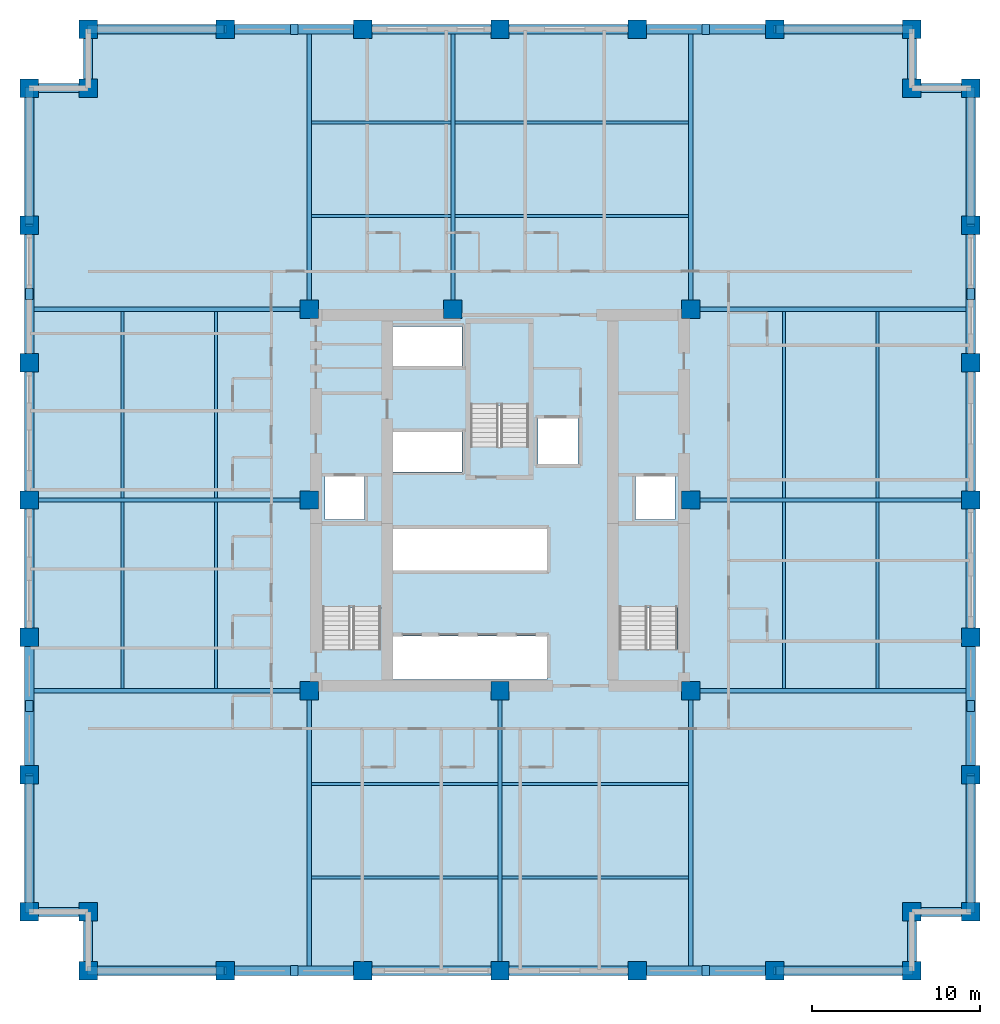
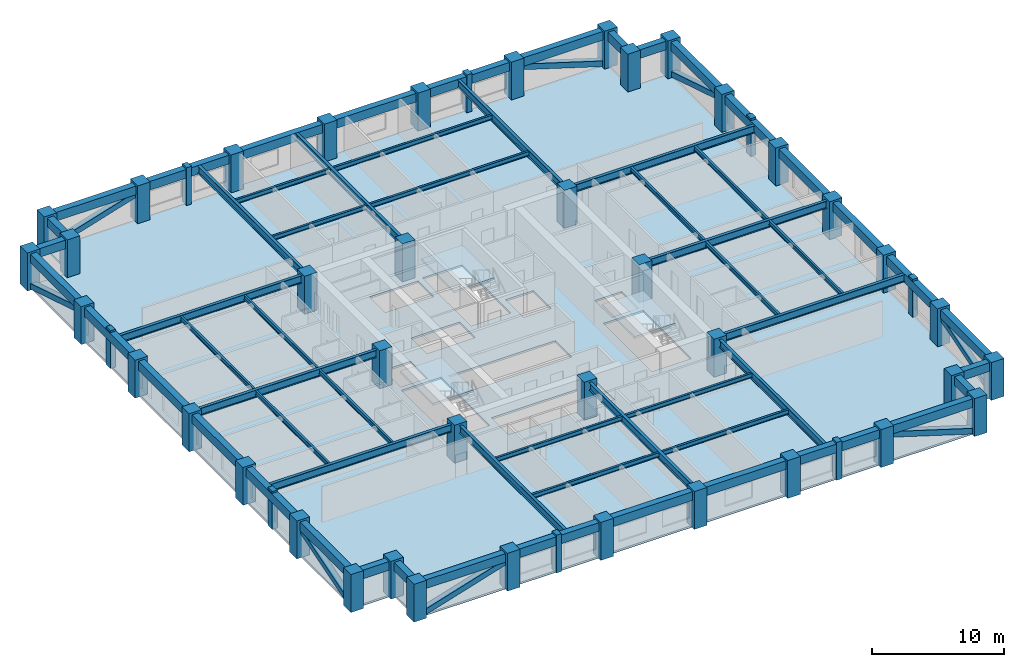
# One storey, part 1 of 8: 60 beams, 40 columns, 16 members, 4 slabs, 3 elements without a shape of their own.
"""IFC4 building model written with IfcOpenShell, lengths in metres."""

import ifcopenshell
import ifcopenshell.guid

model = None  # the IFC model being written
_history = None  # IfcOwnerHistory: only IFC2X3 demands one
_inside = {}  # id of a spatial element -> (the spatial element, [elements in it])
_under = {}  # id of a project, library or spatial element -> (it, [spatial elements below it])
_declared = {}  # id of a project -> (the project, [libraries it declares])
_typed = {}  # id of a type object -> (the type object, [elements of that type])
_made_of = {}  # id of a material, layer set ... -> (it, [elements and type objects made of it])


def new_model(schema):
    """Start an empty IFC model of exactly this schema.

    Asked for "IFC4X3", IfcOpenShell would pick the latest addendum, in which some entities
    have other attributes; the version numbers below select the first issue.
    IFC2X3 requires an IfcOwnerHistory on every rooted entity: one is made here for all.
    """
    global model, _history
    if schema == "IFC4X3":
        model = ifcopenshell.file(schema_version=(4, 3, 0, 0))
    else:
        model = ifcopenshell.file(schema=schema)
    _inside.clear()
    _under.clear()
    _declared.clear()
    _typed.clear()
    _made_of.clear()
    _history = None
    if model.schema == "IFC2X3":
        org = make("IfcOrganization", Name="unknown")
        user = make(
            "IfcPersonAndOrganization",
            ThePerson=make("IfcPerson", FamilyName="unknown"),
            TheOrganization=org,
        )
        app = make(
            "IfcApplication",
            ApplicationDeveloper=org,
            Version="unknown",
            ApplicationFullName="unknown",
            ApplicationIdentifier="unknown",
        )
        _history = make(
            "IfcOwnerHistory",
            OwningUser=user,
            OwningApplication=app,
            ChangeAction="ADDED",
            CreationDate=0,
        )
    return model


def make(cls, **values):
    """One entity of the class cls with the attributes given. An attribute that is None is left unset."""
    return model.create_entity(
        cls, **{name: value for name, value in values.items() if value is not None}
    )


def rooted(cls, **values):
    """An entity with a GlobalId (a new one), such as an element, a storey or a relation."""
    return make(cls, GlobalId=ifcopenshell.guid.new(), OwnerHistory=_history, **values)


def si_unit(unit_type, name, prefix=None):
    """IfcSIUnit, for example si_unit("LENGTHUNIT", "METRE", prefix="MILLI")."""
    return make("IfcSIUnit", UnitType=unit_type, Prefix=prefix, Name=name)


def assignment(units):
    """IfcUnitAssignment: the units of a project."""
    return None if units is None else make("IfcUnitAssignment", Units=units)


def point(xyz):
    """IfcCartesianPoint."""
    return None if xyz is None else make("IfcCartesianPoint", Coordinates=xyz)


def direction(xyz):
    """IfcDirection."""
    return None if xyz is None else make("IfcDirection", DirectionRatios=xyz)


def frame(location, z_axis=None, x_axis=None):
    """IfcAxis2Placement3D, a coordinate frame: its origin and axes. An axis left out is left unset."""
    return make(
        "IfcAxis2Placement3D",
        Location=point(location),
        Axis=direction(z_axis),
        RefDirection=direction(x_axis),
    )


def frame_2d(location, x_axis=None):
    """IfcAxis2Placement2D, a coordinate frame in the plane: its origin and x axis."""
    return make(
        "IfcAxis2Placement2D", Location=point(location), RefDirection=direction(x_axis)
    )


def origin():
    """The frame at (0, 0, 0) with its axes left unset."""
    return frame((0.0, 0.0, 0.0))


def origin_2d():
    """The frame at (0, 0) in the plane with its x axis left unset."""
    return frame_2d((0.0, 0.0))


def place(relative_to, where):
    """IfcLocalPlacement: puts the frame where relative to a parent placement (None: the world)."""
    return make(
        "IfcLocalPlacement", PlacementRelTo=relative_to, RelativePlacement=where
    )


def context(
    kind, dimensions, precision=None, world=None, true_north=None, identifier=None
):
    """IfcGeometricRepresentationContext, for example the 3D "Model" context."""
    return make(
        "IfcGeometricRepresentationContext",
        ContextIdentifier=identifier,
        ContextType=kind,
        CoordinateSpaceDimension=dimensions,
        Precision=precision,
        WorldCoordinateSystem=world,
        TrueNorth=true_north,
    )


def subcontext(parent, identifier, kind, view, scale=None):
    """IfcGeometricRepresentationSubContext, for example "Body" below "Model"."""
    return make(
        "IfcGeometricRepresentationSubContext",
        ContextIdentifier=identifier,
        ContextType=kind,
        ParentContext=parent,
        TargetScale=scale,
        TargetView=view,
    )


def project(units=None, contexts=None):
    """IfcProject with its units and contexts."""
    return rooted(
        "IfcProject",
        Name="project",
        RepresentationContexts=contexts,
        UnitsInContext=assignment(units),
    )


def spatial(cls, under=None, at=None, **own):
    """A site, building, storey or space (cls), placed at a placement, below another one or the project."""
    s = rooted(cls, ObjectPlacement=at, **own)
    if under is not None:
        _under.setdefault(under.id(), (under, []))[1].append(s)
    return s


def polyline(points):
    """IfcPolyline through the points."""
    return make("IfcPolyline", Points=[point(p) for p in points])


def profile(cls, at=None, kind="AREA", **sizes):
    """A parametric profile (cls). Its sizes go by their IFC names, for example OverallWidth=200.0."""
    return make(cls, ProfileType=kind, Position=at, **sizes)


def rectangle(**sizes):
    """IfcRectangleProfileDef."""
    return profile("IfcRectangleProfileDef", **sizes)


def hollow_rectangle(**sizes):
    """IfcRectangleHollowProfileDef."""
    return profile("IfcRectangleHollowProfileDef", **sizes)


def i_section(**sizes):
    """IfcIShapeProfileDef."""
    return profile("IfcIShapeProfileDef", **sizes)


def outline(outer, holes=None, kind="AREA"):
    """IfcArbitraryClosedProfileDef: a profile drawn as a closed curve; with holes, ...WithVoids."""
    if holes is None:
        return make("IfcArbitraryClosedProfileDef", ProfileType=kind, OuterCurve=outer)
    return make(
        "IfcArbitraryProfileDefWithVoids",
        ProfileType=kind,
        OuterCurve=outer,
        InnerCurves=holes,
    )


def extrude(swept, where, along, depth):
    """IfcExtrudedAreaSolid: the profile swept, set in the frame where, extruded along a direction by depth."""
    return make(
        "IfcExtrudedAreaSolid",
        SweptArea=swept,
        Position=where,
        ExtrudedDirection=direction(along),
        Depth=depth,
    )


def shape(context_of_items, identifier, shape_type, items):
    """IfcShapeRepresentation: the items that make up one representation, for example the "Body"."""
    return make(
        "IfcShapeRepresentation",
        ContextOfItems=context_of_items,
        RepresentationIdentifier=identifier,
        RepresentationType=shape_type,
        Items=items,
    )


def material(Name=None, Category=None):
    """IfcMaterial."""
    return make("IfcMaterial", Name=Name, Category=Category)


def layer(
    of_material, thickness, ventilated=None, Name=None, Category=None, Priority=None
):
    """IfcMaterialLayer: one layer of a wall or slab, of a material (None: an air gap)."""
    return make(
        "IfcMaterialLayer",
        Material=of_material,
        LayerThickness=thickness,
        IsVentilated=ventilated,
        Name=Name,
        Category=Category,
        Priority=Priority,
    )


def layer_set(layers, Name=None):
    """IfcMaterialLayerSet."""
    return make("IfcMaterialLayerSet", MaterialLayers=layers, LayerSetName=Name)


def material_profile(
    of_material, cross_section, Name=None, Category=None, Priority=None
):
    """IfcMaterialProfile: a cross section and its material."""
    return make(
        "IfcMaterialProfile",
        Name=Name,
        Material=of_material,
        Profile=cross_section,
        Priority=Priority,
        Category=Category,
    )


def profile_set(profiles, Name=None, composite=None):
    """IfcMaterialProfileSet."""
    return make(
        "IfcMaterialProfileSet",
        Name=Name,
        MaterialProfiles=profiles,
        CompositeProfile=composite,
    )


def made_of(thing, what):
    """Note that an element or type object is made of a material, layer set ...; save() writes the relation."""
    if what is not None:
        _made_of.setdefault(what.id(), (what, []))[1].append(thing)
    return thing


def type_object(cls, material=None, **own):
    """A type object (cls), such as IfcWallType, which elements share."""
    return made_of(rooted(cls, **own), material)


def element(
    cls,
    number,
    at=None,
    inside=None,
    cuts=None,
    type_object=None,
    material=None,
    context=None,
    identifier="Body",
    shape_type=None,
    held_by="IfcProductDefinitionShape",
    body=None,
    shapes=None,
    **own,
):
    """One element of the class cls, such as IfcWall. Its Tag is "e" and its number.

    at: its placement. inside: the storey or other place that contains it. cuts: it is an
    opening in that element (IfcRelVoidsElement). A single representation is given by context,
    identifier, shape_type and body (its items); several are given by shapes. held_by: the class
    of the entity that holds the representations. save() writes the other relations.
    """
    e = rooted(cls, Tag="e%d" % number, ObjectPlacement=at, **own)
    if body is not None:
        shapes = [shape(context, identifier, shape_type, body)]
    if shapes is not None:
        e.Representation = make(held_by, Representations=shapes)
    if inside is not None:
        _inside.setdefault(inside.id(), (inside, []))[1].append(e)
    if cuts is not None:
        rooted(
            "IfcRelVoidsElement", RelatingBuildingElement=cuts, RelatedOpeningElement=e
        )
    if type_object is not None:
        _typed.setdefault(type_object.id(), (type_object, []))[1].append(e)
    return made_of(e, material)


def aggregate(whole, parts):
    """IfcRelAggregates: a whole, such as a stair, and the parts it consists of."""
    return rooted("IfcRelAggregates", RelatingObject=whole, RelatedObjects=parts)


def save(model, path):
    """Write the relations noted so far, then the file.

    IfcRelAggregates (storeys below a building ...), IfcRelContainedInSpatialStructure (elements
    in a storey), IfcRelDefinesByType, IfcRelAssociatesMaterial and IfcRelDeclares: one each for
    every whole, place, type object, material and project.
    """
    for whole, parts in _under.values():
        aggregate(whole, parts)
    for where, things in _inside.values():
        rooted(
            "IfcRelContainedInSpatialStructure",
            RelatedElements=things,
            RelatingStructure=where,
        )
    for kind, things in _typed.values():
        rooted("IfcRelDefinesByType", RelatedObjects=things, RelatingType=kind)
    for what, things in _made_of.values():
        rooted("IfcRelAssociatesMaterial", RelatedObjects=things, RelatingMaterial=what)
    for by, libraries in _declared.values():
        rooted("IfcRelDeclares", RelatingContext=by, RelatedDefinitions=libraries)
    model.write(path)


model = new_model("IFC4")

# Units and contexts
model_context = context("Model", 3, precision=1e-05, world=origin(), true_north=direction((0.0, 1.0)))
body_context = subcontext(model_context, "Body", "Model", "MODEL_VIEW")
ifc_project = project(units=[si_unit("LENGTHUNIT", "METRE"), si_unit("AREAUNIT", "SQUARE_METRE"), si_unit("VOLUMEUNIT", "CUBIC_METRE"), si_unit("PLANEANGLEUNIT", "RADIAN"), si_unit("MASSUNIT", "GRAM", prefix="KILO")], contexts=[model_context])

# Site, building, storey
site_placement = place(None, origin())
site = spatial("IfcSite", under=ifc_project, at=site_placement, CompositionType="ELEMENT")
building_placement = place(site_placement, origin())
building = spatial("IfcBuilding", under=site, at=building_placement, Name="Nhamokura Convention Tower", CompositionType="ELEMENT")
storey_placement = place(building_placement, frame((0.0, 0.0, 45.85009765625)))
storey = spatial("IfcBuildingStorey", under=building, at=storey_placement, Name="L09", CompositionType="ELEMENT", Elevation=45.85009765625)

# Columns
ifc_material_1 = material(Name="Concrete C60/75", Category="concrete")
ifc_material_profile_1 = material_profile(ifc_material_1, rectangle(XDim=1.10009765625, YDim=1.10009765625, at=origin_2d()))
ifc_profile_set_1 = profile_set([ifc_material_profile_1], Name="Concrete C60/75")
column_type = type_object("IfcColumnType", Name="TubeColumn_Z1_1100", PredefinedType="COLUMN", material=ifc_profile_set_1)
for number, where, z_axis, x_axis, name in (
    (1, (20.64990234375, 20.64990234375, 0.0), (0.0, 0.0, 1.0), (1.0, 0.0, 0.0), "L09 Core Column CC-SW"),
    (2, (32.0, 20.64990234375, 0.0), (0.0, 0.0, 1.0), (1.0, 0.0, 0.0), "L09 Core Column CC-S"),
    (3, (43.35009765625, 20.64990234375, 0.0), (0.0, 0.0, 1.0), (1.0, 0.0, 0.0), "L09 Core Column CC-SE"),
    (4, (43.35009765625, 32.0, 0.0), (0.0, 0.0, 1.0), (1.0, 0.0, 0.0), "L09 Core Column CC-E"),
    (5, (43.35009765625, 43.35009765625, 0.0), (0.0, 0.0, 1.0), (1.0, 0.0, 0.0), "L09 Core Column CC-NE"),
    (6, (29.199951171875, 43.35009765625, 0.0), (0.0, 0.0, 1.0), (1.0, 0.0, 0.0), "L09 Core Column CC-N"),
    (7, (20.64990234375, 43.35009765625, 0.0), (0.0, 0.0, 1.0), (1.0, 0.0, 0.0), "L09 Core Column CC-NW"),
    (8, (20.64990234375, 32.0, 0.0), (0.0, 0.0, 1.0), (1.0, 0.0, 0.0), "L09 Core Column CC-W"),
    (9, (7.5, 4.0, 0.0), (0.0, 0.0, 1.0), (1.0, 0.0, 0.0), "L09 Perimeter Tube Column SW1"),
    (10, (7.5, 7.5, 0.0), (0.0, 0.0, 1.0), (1.0, 0.0, 0.0), "L09 Perimeter Tube Column SW0"),
    (11, (4.0, 7.5, 0.0), (0.0, 0.0, 1.0), (1.0, 0.0, 0.0), "L09 Perimeter Tube Column SW2"),
    (12, (56.5, 4.0, 0.0), (0.0, 0.0, 1.0), (1.0, 0.0, 0.0), "L09 Perimeter Tube Column SE1"),
    (13, (56.5, 7.5, 0.0), (0.0, 0.0, 1.0), (1.0, 0.0, 0.0), "L09 Perimeter Tube Column SE0"),
    (14, (60.0, 7.5, 0.0), (0.0, 0.0, 1.0), (1.0, 0.0, 0.0), "L09 Perimeter Tube Column SE2"),
    (15, (60.0, 56.5, 0.0), (0.0, 0.0, 1.0), (1.0, 0.0, 0.0), "L09 Perimeter Tube Column NE1"),
    (16, (56.5, 56.5, 0.0), (0.0, 0.0, 1.0), (1.0, 0.0, 0.0), "L09 Perimeter Tube Column NE0"),
    (17, (56.5, 60.0, 0.0), (0.0, 0.0, 1.0), (1.0, 0.0, 0.0), "L09 Perimeter Tube Column NE2"),
    (18, (7.5, 60.0, 0.0), (0.0, 0.0, 1.0), (1.0, 0.0, 0.0), "L09 Perimeter Tube Column NW1"),
    (19, (7.5, 56.5, 0.0), (0.0, 0.0, 1.0), (1.0, 0.0, 0.0), "L09 Perimeter Tube Column NW0"),
    (20, (4.0, 56.5, 0.0), (0.0, 0.0, 1.0), (1.0, 0.0, 0.0), "L09 Perimeter Tube Column NW2"),
    (21, (15.666748046875, 4.0, 0.0), (0.0, 0.0, 1.0), (1.0, 0.0, 0.0), "L09 Perimeter Tube Column S1"),
    (22, (15.666748046875, 60.0, 0.0), (0.0, 0.0, 1.0), (1.0, 0.0, 0.0), "L09 Perimeter Tube Column N1"),
    (23, (4.0, 15.666748046875, 0.0), (0.0, 0.0, 1.0), (1.0, 0.0, 0.0), "L09 Perimeter Tube Column W1"),
    (24, (60.0, 15.666748046875, 0.0), (0.0, 0.0, 1.0), (1.0, 0.0, 0.0), "L09 Perimeter Tube Column E1"),
    (25, (23.833251953125, 4.0, 0.0), (0.0, 0.0, 1.0), (1.0, 0.0, 0.0), "L09 Perimeter Tube Column S2"),
    (26, (23.833251953125, 60.0, 0.0), (0.0, 0.0, 1.0), (1.0, 0.0, 0.0), "L09 Perimeter Tube Column N2"),
    (27, (4.0, 23.833251953125, 0.0), (0.0, 0.0, 1.0), (1.0, 0.0, 0.0), "L09 Perimeter Tube Column W2"),
    (28, (60.0, 23.833251953125, 0.0), (0.0, 0.0, 1.0), (1.0, 0.0, 0.0), "L09 Perimeter Tube Column E2"),
    (29, (32.0, 4.0, 0.0), (0.0, 0.0, 1.0), (1.0, 0.0, 0.0), "L09 Perimeter Tube Column S3"),
    (30, (32.0, 60.0, 0.0), (0.0, 0.0, 1.0), (1.0, 0.0, 0.0), "L09 Perimeter Tube Column N3"),
    (31, (4.0, 32.0, 0.0), (0.0, 0.0, 1.0), (1.0, 0.0, 0.0), "L09 Perimeter Tube Column W3"),
    (32, (60.0, 32.0, 0.0), (0.0, 0.0, 1.0), (1.0, 0.0, 0.0), "L09 Perimeter Tube Column E3"),
    (33, (40.166748046875, 4.0, 0.0), (0.0, 0.0, 1.0), (1.0, 0.0, 0.0), "L09 Perimeter Tube Column S4"),
    (34, (40.166748046875, 60.0, 0.0), (0.0, 0.0, 1.0), (1.0, 0.0, 0.0), "L09 Perimeter Tube Column N4"),
    (35, (4.0, 40.166748046875, 0.0), (0.0, 0.0, 1.0), (1.0, 0.0, 0.0), "L09 Perimeter Tube Column W4"),
    (36, (60.0, 40.166748046875, 0.0), (0.0, 0.0, 1.0), (1.0, 0.0, 0.0), "L09 Perimeter Tube Column E4"),
    (37, (48.333251953125, 4.0, 0.0), (0.0, 0.0, 1.0), (1.0, 0.0, 0.0), "L09 Perimeter Tube Column S5"),
    (38, (48.333251953125, 60.0, 0.0), (0.0, 0.0, 1.0), (1.0, 0.0, 0.0), "L09 Perimeter Tube Column N5"),
    (39, (4.0, 48.333251953125, 0.0), (0.0, 0.0, 1.0), (1.0, 0.0, 0.0), "L09 Perimeter Tube Column W5"),
    (40, (60.0, 48.333251953125, 0.0), (0.0, 0.0, 1.0), (1.0, 0.0, 0.0), "L09 Perimeter Tube Column E5"),
):
    element("IfcColumn", number, at=place(storey_placement, frame(where, z_axis=z_axis, x_axis=x_axis)), inside=storey, type_object=column_type, Name=name, PredefinedType="COLUMN", context=body_context, shape_type="SweptSolid", body=[
        extrude(rectangle(XDim=1.10009765625, YDim=1.10009765625, at=origin_2d()), origin(), (0.0, 0.0, 1.0), 3.5),
    ])

# Members
ifc_material_2 = material(Name="Bronze-pigmented precast concrete C45/55", Category="concrete")
ifc_material_profile_2 = material_profile(ifc_material_2, rectangle(XDim=0.449951171875, YDim=0.64990234375, at=origin_2d()))
ifc_profile_set_2 = profile_set([ifc_material_profile_2], Name="Bronze-pigmented precast concrete C45/55")
member_type_1 = type_object("IfcMemberType", Name="BronzePilaster_650", PredefinedType="USERDEFINED", material=ifc_profile_set_2)
for number, where, z_axis, x_axis, name in (
    (41, (19.75, 4.0, 0.0), (0.0, 0.0, 1.0), (1.0, 0.0, 0.0), "L09 Engaged Frame Pilaster SOUTH 1"),
    (42, (44.25, 4.0, 0.0), (0.0, 0.0, 1.0), (1.0, 0.0, 0.0), "L09 Engaged Frame Pilaster SOUTH 4"),
    (43, (19.75, 60.0, 0.0), (0.0, 0.0, 1.0), (1.0, 0.0, 0.0), "L09 Engaged Frame Pilaster NORTH 1"),
    (44, (44.25, 60.0, 0.0), (0.0, 0.0, 1.0), (1.0, 0.0, 0.0), "L09 Engaged Frame Pilaster NORTH 4"),
    (45, (4.0, 19.75, 0.0), (0.0, 0.0, 1.0), (1.0, 0.0, 0.0), "L09 Engaged Frame Pilaster WEST 1"),
    (46, (4.0, 44.25, 0.0), (0.0, 0.0, 1.0), (1.0, 0.0, 0.0), "L09 Engaged Frame Pilaster WEST 4"),
    (47, (60.0, 19.75, 0.0), (0.0, 0.0, 1.0), (1.0, 0.0, 0.0), "L09 Engaged Frame Pilaster EAST 1"),
    (48, (60.0, 44.25, 0.0), (0.0, 0.0, 1.0), (1.0, 0.0, 0.0), "L09 Engaged Frame Pilaster EAST 4"),
):
    element("IfcMember", number, at=place(storey_placement, frame(where, z_axis=z_axis, x_axis=x_axis)), inside=storey, type_object=member_type_1, Name=name, ObjectType="PILASTER_TRIM", PredefinedType="USERDEFINED", context=body_context, shape_type="SweptSolid", body=[
        extrude(rectangle(XDim=0.449951171875, YDim=0.64990234375, at=origin_2d()), origin(), (0.0, 0.0, 1.0), 3.5),
    ])

# Beams
ifc_material_3 = material(Name="Steel ASTM A992 Gr 50", Category="steel")
ifc_material_profile_3 = material_profile(ifc_material_3, i_section(OverallWidth=0.178955078125, OverallDepth=0.409912109375, WebThickness=0.0087890625, FlangeThickness=0.014404296875, at=origin_2d()))
ifc_profile_set_3 = profile_set([ifc_material_profile_3], Name="Steel ASTM A992 Gr 50")
beam_type_1 = type_object("IfcBeamType", Name="FloorJoist_W410X67", PredefinedType="JOIST", material=ifc_profile_set_3)
for number, where, z_axis, x_axis, name in (
    (49, (20.77587890625, 9.550048828125, 3.114990234375), (1.0, 0.0, 0.0), (0.0, 1.0, 0.0), "L09 Composite Floor Joist S1A"),
    (50, (32.1259765625, 9.550048828125, 3.114990234375), (1.0, 0.0, 0.0), (0.0, 1.0, 0.0), "L09 Composite Floor Joist S1B"),
    (51, (20.77587890625, 15.10009765625, 3.114990234375), (1.0, 0.0, 0.0), (0.0, 1.0, 0.0), "L09 Composite Floor Joist S2A"),
    (52, (32.1259765625, 15.10009765625, 3.114990234375), (1.0, 0.0, 0.0), (0.0, 1.0, 0.0), "L09 Composite Floor Joist S2B"),
):
    element("IfcBeam", number, at=place(storey_placement, frame(where, z_axis=z_axis, x_axis=x_axis)), inside=storey, type_object=beam_type_1, Name=name, PredefinedType="JOIST", context=body_context, shape_type="SweptSolid", body=[
        extrude(i_section(OverallWidth=0.178955078125, OverallDepth=0.409912109375, WebThickness=0.0087890625, FlangeThickness=0.014404296875, at=origin_2d()), origin(), (0.0, 0.0, 1.0), 11.09814453125),
    ])
beam_1_placement = place(storey_placement, frame((20.77587890625, 48.89990234375, 3.114990234375), z_axis=(1.0, 0.0, 0.0), x_axis=(0.0, 1.0, 0.0)))
element("IfcBeam", 53, at=beam_1_placement, inside=storey, type_object=beam_type_1, Name="L09 Composite Floor Joist N1A", PredefinedType="JOIST", context=body_context, shape_type="SweptSolid", body=[
    extrude(i_section(OverallWidth=0.178955078125, OverallDepth=0.409912109375, WebThickness=0.0087890625, FlangeThickness=0.014404296875, at=origin_2d()), origin(), (0.0, 0.0, 1.0), 8.298095703125),
])
beam_2_placement = place(storey_placement, frame((29.325927734375, 48.89990234375, 3.114990234375), z_axis=(1.0, 0.0, 0.0), x_axis=(0.0, 1.0, 0.0)))
element("IfcBeam", 54, at=beam_2_placement, inside=storey, type_object=beam_type_1, Name="L09 Composite Floor Joist N1B", PredefinedType="JOIST", context=body_context, shape_type="SweptSolid", body=[
    extrude(i_section(OverallWidth=0.178955078125, OverallDepth=0.409912109375, WebThickness=0.0087890625, FlangeThickness=0.014404296875, at=origin_2d()), origin(), (0.0, 0.0, 1.0), 13.898193359375),
])
beam_3_placement = place(storey_placement, frame((20.77587890625, 54.449951171875, 3.114990234375), z_axis=(1.0, 0.0, 0.0), x_axis=(0.0, 1.0, 0.0)))
element("IfcBeam", 55, at=beam_3_placement, inside=storey, type_object=beam_type_1, Name="L09 Composite Floor Joist N2A", PredefinedType="JOIST", context=body_context, shape_type="SweptSolid", body=[
    extrude(i_section(OverallWidth=0.178955078125, OverallDepth=0.409912109375, WebThickness=0.0087890625, FlangeThickness=0.014404296875, at=origin_2d()), origin(), (0.0, 0.0, 1.0), 8.298095703125),
])
beam_4_placement = place(storey_placement, frame((29.325927734375, 54.449951171875, 3.114990234375), z_axis=(1.0, 0.0, 0.0), x_axis=(0.0, 1.0, 0.0)))
element("IfcBeam", 56, at=beam_4_placement, inside=storey, type_object=beam_type_1, Name="L09 Composite Floor Joist N2B", PredefinedType="JOIST", context=body_context, shape_type="SweptSolid", body=[
    extrude(i_section(OverallWidth=0.178955078125, OverallDepth=0.409912109375, WebThickness=0.0087890625, FlangeThickness=0.014404296875, at=origin_2d()), origin(), (0.0, 0.0, 1.0), 13.898193359375),
])
for number, where, z_axis, x_axis, name in (
    (57, (9.550048828125, 20.77587890625, 3.114990234375), (0.0, 1.0, 0.0), (-1.0, 0.0, 0.0), "L09 Composite Floor Joist W1A"),
    (58, (9.550048828125, 32.1259765625, 3.114990234375), (0.0, 1.0, 0.0), (-1.0, 0.0, 0.0), "L09 Composite Floor Joist W1B"),
    (59, (15.10009765625, 20.77587890625, 3.114990234375), (0.0, 1.0, 0.0), (-1.0, 0.0, 0.0), "L09 Composite Floor Joist W2A"),
    (60, (15.10009765625, 32.1259765625, 3.114990234375), (0.0, 1.0, 0.0), (-1.0, 0.0, 0.0), "L09 Composite Floor Joist W2B"),
    (61, (48.89990234375, 20.77587890625, 3.114990234375), (0.0, 1.0, 0.0), (-1.0, 0.0, 0.0), "L09 Composite Floor Joist E1A"),
    (62, (48.89990234375, 32.1259765625, 3.114990234375), (0.0, 1.0, 0.0), (-1.0, 0.0, 0.0), "L09 Composite Floor Joist E1B"),
    (63, (54.449951171875, 20.77587890625, 3.114990234375), (0.0, 1.0, 0.0), (-1.0, 0.0, 0.0), "L09 Composite Floor Joist E2A"),
    (64, (54.449951171875, 32.1259765625, 3.114990234375), (0.0, 1.0, 0.0), (-1.0, 0.0, 0.0), "L09 Composite Floor Joist E2B"),
):
    element("IfcBeam", number, at=place(storey_placement, frame(where, z_axis=z_axis, x_axis=x_axis)), inside=storey, type_object=beam_type_1, Name=name, PredefinedType="JOIST", context=body_context, shape_type="SweptSolid", body=[
        extrude(i_section(OverallWidth=0.178955078125, OverallDepth=0.409912109375, WebThickness=0.0087890625, FlangeThickness=0.014404296875, at=origin_2d()), origin(), (0.0, 0.0, 1.0), 11.09814453125),
    ])
ifc_material_4 = material(Name="Steel ASTM A992 Gr 50", Category="steel")
ifc_material_profile_4 = material_profile(ifc_material_4, i_section(OverallWidth=0.256103515625, OverallDepth=0.693115234375, WebThickness=0.014404296875, FlangeThickness=0.023681640625, at=origin_2d()))
ifc_profile_set_4 = profile_set([ifc_material_profile_4], Name="Steel ASTM A992 Gr 50")
beam_type_2 = type_object("IfcBeamType", Name="PrimaryGirder_W690X170", PredefinedType="BEAM", material=ifc_profile_set_4)
for number, where, z_axis, x_axis, name in (
    (65, (20.64990234375, 4.0, 2.973388671875), (0.0, 1.0, 0.0), (-1.0, 0.0, 0.0), "L09 Primary Floor Girder PG-S1"),
    (66, (32.0, 4.0, 2.973388671875), (0.0, 1.0, 0.0), (-1.0, 0.0, 0.0), "L09 Primary Floor Girder PG-S2"),
    (67, (43.35009765625, 4.0, 2.973388671875), (0.0, 1.0, 0.0), (-1.0, 0.0, 0.0), "L09 Primary Floor Girder PG-S3"),
    (68, (20.64990234375, 43.35009765625, 2.973388671875), (0.0, 1.0, 0.0), (-1.0, 0.0, 0.0), "L09 Primary Floor Girder PG-N1"),
    (69, (29.199951171875, 43.35009765625, 2.973388671875), (0.0, 1.0, 0.0), (-1.0, 0.0, 0.0), "L09 Primary Floor Girder PG-N2"),
    (70, (43.35009765625, 43.35009765625, 2.973388671875), (0.0, 1.0, 0.0), (-1.0, 0.0, 0.0), "L09 Primary Floor Girder PG-N3"),
    (71, (4.0, 20.64990234375, 2.973388671875), (1.0, 0.0, 0.0), (0.0, 1.0, 0.0), "L09 Primary Floor Girder PG-W1"),
    (72, (4.0, 32.0, 2.973388671875), (1.0, 0.0, 0.0), (0.0, 1.0, 0.0), "L09 Primary Floor Girder PG-W2"),
    (73, (4.0, 43.35009765625, 2.973388671875), (1.0, 0.0, 0.0), (0.0, 1.0, 0.0), "L09 Primary Floor Girder PG-W3"),
    (74, (43.35009765625, 20.64990234375, 2.973388671875), (1.0, 0.0, 0.0), (0.0, 1.0, 0.0), "L09 Primary Floor Girder PG-E1"),
    (75, (43.35009765625, 32.0, 2.973388671875), (1.0, 0.0, 0.0), (0.0, 1.0, 0.0), "L09 Primary Floor Girder PG-E2"),
    (76, (43.35009765625, 43.35009765625, 2.973388671875), (1.0, 0.0, 0.0), (0.0, 1.0, 0.0), "L09 Primary Floor Girder PG-E3"),
):
    element("IfcBeam", number, at=place(storey_placement, frame(where, z_axis=z_axis, x_axis=x_axis)), inside=storey, type_object=beam_type_2, Name=name, PredefinedType="BEAM", context=body_context, shape_type="SweptSolid", body=[
        extrude(i_section(OverallWidth=0.256103515625, OverallDepth=0.693115234375, WebThickness=0.014404296875, FlangeThickness=0.023681640625, at=origin_2d()), origin(), (0.0, 0.0, 1.0), 16.64990234375),
    ])

# Members
ifc_material_5 = material(Name="Steel ASTM A572 Gr 50", Category="steel")
ifc_material_profile_5 = material_profile(ifc_material_5, hollow_rectangle(XDim=0.5, YDim=0.5, WallThickness=0.02490234375, at=origin_2d()))
ifc_profile_set_5 = profile_set([ifc_material_profile_5], Name="Steel ASTM A572 Gr 50")
member_type_2 = type_object("IfcMemberType", Name="TubeBrace_HSS500", PredefinedType="BRACE", material=ifc_profile_set_5)
for number, where, z_axis, x_axis, name in (
    (77, (7.5, 4.0, 0.14990234375), (0.955542765986, 0.0, 0.294852543437), (0.0, 1.0, 0.0), "L09 Perimeter Tube Brace SOUTH Bay 0"),
    (78, (56.5, 4.0, 0.14990234375), (-0.955542765986, 0.0, 0.294852543437), (0.0, -1.0, 0.0), "L09 Perimeter Tube Brace SOUTH Bay 5"),
    (79, (7.5, 60.0, 0.14990234375), (0.955542765986, 0.0, 0.294852543437), (0.0, 1.0, 0.0), "L09 Perimeter Tube Brace NORTH Bay 0"),
    (80, (56.5, 60.0, 0.14990234375), (-0.955542765986, 0.0, 0.294852543437), (0.0, -1.0, 0.0), "L09 Perimeter Tube Brace NORTH Bay 5"),
    (81, (4.0, 7.5, 0.14990234375), (0.0, 0.955542765986, 0.294852543437), (-1.0, 0.0, 0.0), "L09 Perimeter Tube Brace WEST Bay 0"),
    (82, (4.0, 56.5, 0.14990234375), (0.0, -0.955542765986, 0.294852543437), (1.0, 0.0, 0.0), "L09 Perimeter Tube Brace WEST Bay 5"),
    (83, (60.0, 7.5, 0.14990234375), (0.0, 0.955542765986, 0.294852543437), (-1.0, 0.0, 0.0), "L09 Perimeter Tube Brace EAST Bay 0"),
    (84, (60.0, 56.5, 0.14990234375), (0.0, -0.955542765986, 0.294852543437), (1.0, 0.0, 0.0), "L09 Perimeter Tube Brace EAST Bay 5"),
):
    element("IfcMember", number, at=place(storey_placement, frame(where, z_axis=z_axis, x_axis=x_axis)), inside=storey, type_object=member_type_2, Name=name, PredefinedType="BRACE", context=body_context, shape_type="SweptSolid", body=[
        extrude(hollow_rectangle(XDim=0.5, YDim=0.5, WallThickness=0.02490234375, at=origin_2d()), origin(), (0.0, 0.0, 1.0), 8.546630859375),
    ])

# Beams
ifc_material_6 = material(Name="Concrete C50/60", Category="concrete")
ifc_material_profile_6 = material_profile(ifc_material_6, rectangle(XDim=0.550048828125, YDim=0.800048828125, at=origin_2d()))
ifc_profile_set_6 = profile_set([ifc_material_profile_6], Name="Concrete C50/60")
beam_type_3 = type_object("IfcBeamType", Name="TubeSpandrel_800", PredefinedType="SPANDREL", material=ifc_profile_set_6)
beam_5_placement = place(storey_placement, frame((7.5, 4.0, 2.919921875), z_axis=(1.0, 0.0, 0.0), x_axis=(0.0, 1.0, 0.0)))
element("IfcBeam", 85, at=beam_5_placement, inside=storey, type_object=beam_type_3, Name="L09 Perimeter Spandrel SOUTH 1", PredefinedType="SPANDREL", context=body_context, shape_type="SweptSolid", body=[
    extrude(rectangle(XDim=0.550048828125, YDim=0.800048828125, at=origin_2d()), origin(), (0.0, 0.0, 1.0), 8.166748046875),
])
beam_6_placement = place(storey_placement, frame((15.666748046875, 4.0, 2.919921875), z_axis=(1.0, 0.0, 0.0), x_axis=(0.0, 1.0, 0.0)))
element("IfcBeam", 86, at=beam_6_placement, inside=storey, type_object=beam_type_3, Name="L09 Perimeter Spandrel SOUTH 2", PredefinedType="SPANDREL", context=body_context, shape_type="SweptSolid", body=[
    extrude(rectangle(XDim=0.550048828125, YDim=0.800048828125, at=origin_2d()), origin(), (0.0, 0.0, 1.0), 8.16650390625),
])
for number, where, z_axis, x_axis, name in (
    (87, (23.833251953125, 4.0, 2.919921875), (1.0, 0.0, 0.0), (0.0, 1.0, 0.0), "L09 Perimeter Spandrel SOUTH 3"),
    (88, (32.0, 4.0, 2.919921875), (1.0, 0.0, 0.0), (0.0, 1.0, 0.0), "L09 Perimeter Spandrel SOUTH 4"),
):
    element("IfcBeam", number, at=place(storey_placement, frame(where, z_axis=z_axis, x_axis=x_axis)), inside=storey, type_object=beam_type_3, Name=name, PredefinedType="SPANDREL", context=body_context, shape_type="SweptSolid", body=[
        extrude(rectangle(XDim=0.550048828125, YDim=0.800048828125, at=origin_2d()), origin(), (0.0, 0.0, 1.0), 8.166748046875),
    ])
beam_7_placement = place(storey_placement, frame((40.166748046875, 4.0, 2.919921875), z_axis=(1.0, 0.0, 0.0), x_axis=(0.0, 1.0, 0.0)))
element("IfcBeam", 89, at=beam_7_placement, inside=storey, type_object=beam_type_3, Name="L09 Perimeter Spandrel SOUTH 5", PredefinedType="SPANDREL", context=body_context, shape_type="SweptSolid", body=[
    extrude(rectangle(XDim=0.550048828125, YDim=0.800048828125, at=origin_2d()), origin(), (0.0, 0.0, 1.0), 8.16650390625),
])
for number, where, z_axis, x_axis, name in (
    (90, (48.333251953125, 4.0, 2.919921875), (1.0, 0.0, 0.0), (0.0, 1.0, 0.0), "L09 Perimeter Spandrel SOUTH 6"),
    (91, (7.5, 60.0, 2.919921875), (1.0, 0.0, 0.0), (0.0, 1.0, 0.0), "L09 Perimeter Spandrel NORTH 1"),
):
    element("IfcBeam", number, at=place(storey_placement, frame(where, z_axis=z_axis, x_axis=x_axis)), inside=storey, type_object=beam_type_3, Name=name, PredefinedType="SPANDREL", context=body_context, shape_type="SweptSolid", body=[
        extrude(rectangle(XDim=0.550048828125, YDim=0.800048828125, at=origin_2d()), origin(), (0.0, 0.0, 1.0), 8.166748046875),
    ])
beam_8_placement = place(storey_placement, frame((15.666748046875, 60.0, 2.919921875), z_axis=(1.0, 0.0, 0.0), x_axis=(0.0, 1.0, 0.0)))
element("IfcBeam", 92, at=beam_8_placement, inside=storey, type_object=beam_type_3, Name="L09 Perimeter Spandrel NORTH 2", PredefinedType="SPANDREL", context=body_context, shape_type="SweptSolid", body=[
    extrude(rectangle(XDim=0.550048828125, YDim=0.800048828125, at=origin_2d()), origin(), (0.0, 0.0, 1.0), 8.16650390625),
])
for number, where, z_axis, x_axis, name in (
    (93, (23.833251953125, 60.0, 2.919921875), (1.0, 0.0, 0.0), (0.0, 1.0, 0.0), "L09 Perimeter Spandrel NORTH 3"),
    (94, (32.0, 60.0, 2.919921875), (1.0, 0.0, 0.0), (0.0, 1.0, 0.0), "L09 Perimeter Spandrel NORTH 4"),
):
    element("IfcBeam", number, at=place(storey_placement, frame(where, z_axis=z_axis, x_axis=x_axis)), inside=storey, type_object=beam_type_3, Name=name, PredefinedType="SPANDREL", context=body_context, shape_type="SweptSolid", body=[
        extrude(rectangle(XDim=0.550048828125, YDim=0.800048828125, at=origin_2d()), origin(), (0.0, 0.0, 1.0), 8.166748046875),
    ])
beam_9_placement = place(storey_placement, frame((40.166748046875, 60.0, 2.919921875), z_axis=(1.0, 0.0, 0.0), x_axis=(0.0, 1.0, 0.0)))
element("IfcBeam", 95, at=beam_9_placement, inside=storey, type_object=beam_type_3, Name="L09 Perimeter Spandrel NORTH 5", PredefinedType="SPANDREL", context=body_context, shape_type="SweptSolid", body=[
    extrude(rectangle(XDim=0.550048828125, YDim=0.800048828125, at=origin_2d()), origin(), (0.0, 0.0, 1.0), 8.16650390625),
])
for number, where, z_axis, x_axis, name in (
    (96, (48.333251953125, 60.0, 2.919921875), (1.0, 0.0, 0.0), (0.0, 1.0, 0.0), "L09 Perimeter Spandrel NORTH 6"),
    (97, (4.0, 7.5, 2.919921875), (0.0, 1.0, 0.0), (-1.0, 0.0, 0.0), "L09 Perimeter Spandrel WEST 1"),
):
    element("IfcBeam", number, at=place(storey_placement, frame(where, z_axis=z_axis, x_axis=x_axis)), inside=storey, type_object=beam_type_3, Name=name, PredefinedType="SPANDREL", context=body_context, shape_type="SweptSolid", body=[
        extrude(rectangle(XDim=0.550048828125, YDim=0.800048828125, at=origin_2d()), origin(), (0.0, 0.0, 1.0), 8.166748046875),
    ])
beam_10_placement = place(storey_placement, frame((4.0, 15.666748046875, 2.919921875), z_axis=(0.0, 1.0, 0.0), x_axis=(-1.0, 0.0, 0.0)))
element("IfcBeam", 98, at=beam_10_placement, inside=storey, type_object=beam_type_3, Name="L09 Perimeter Spandrel WEST 2", PredefinedType="SPANDREL", context=body_context, shape_type="SweptSolid", body=[
    extrude(rectangle(XDim=0.550048828125, YDim=0.800048828125, at=origin_2d()), origin(), (0.0, 0.0, 1.0), 8.16650390625),
])
for number, where, z_axis, x_axis, name in (
    (99, (4.0, 23.833251953125, 2.919921875), (0.0, 1.0, 0.0), (-1.0, 0.0, 0.0), "L09 Perimeter Spandrel WEST 3"),
    (100, (4.0, 32.0, 2.919921875), (0.0, 1.0, 0.0), (-1.0, 0.0, 0.0), "L09 Perimeter Spandrel WEST 4"),
):
    element("IfcBeam", number, at=place(storey_placement, frame(where, z_axis=z_axis, x_axis=x_axis)), inside=storey, type_object=beam_type_3, Name=name, PredefinedType="SPANDREL", context=body_context, shape_type="SweptSolid", body=[
        extrude(rectangle(XDim=0.550048828125, YDim=0.800048828125, at=origin_2d()), origin(), (0.0, 0.0, 1.0), 8.166748046875),
    ])
beam_11_placement = place(storey_placement, frame((4.0, 40.166748046875, 2.919921875), z_axis=(0.0, 1.0, 0.0), x_axis=(-1.0, 0.0, 0.0)))
element("IfcBeam", 101, at=beam_11_placement, inside=storey, type_object=beam_type_3, Name="L09 Perimeter Spandrel WEST 5", PredefinedType="SPANDREL", context=body_context, shape_type="SweptSolid", body=[
    extrude(rectangle(XDim=0.550048828125, YDim=0.800048828125, at=origin_2d()), origin(), (0.0, 0.0, 1.0), 8.16650390625),
])
for number, where, z_axis, x_axis, name in (
    (102, (4.0, 48.333251953125, 2.919921875), (0.0, 1.0, 0.0), (-1.0, 0.0, 0.0), "L09 Perimeter Spandrel WEST 6"),
    (103, (60.0, 7.5, 2.919921875), (0.0, 1.0, 0.0), (-1.0, 0.0, 0.0), "L09 Perimeter Spandrel EAST 1"),
):
    element("IfcBeam", number, at=place(storey_placement, frame(where, z_axis=z_axis, x_axis=x_axis)), inside=storey, type_object=beam_type_3, Name=name, PredefinedType="SPANDREL", context=body_context, shape_type="SweptSolid", body=[
        extrude(rectangle(XDim=0.550048828125, YDim=0.800048828125, at=origin_2d()), origin(), (0.0, 0.0, 1.0), 8.166748046875),
    ])
beam_12_placement = place(storey_placement, frame((60.0, 15.666748046875, 2.919921875), z_axis=(0.0, 1.0, 0.0), x_axis=(-1.0, 0.0, 0.0)))
element("IfcBeam", 104, at=beam_12_placement, inside=storey, type_object=beam_type_3, Name="L09 Perimeter Spandrel EAST 2", PredefinedType="SPANDREL", context=body_context, shape_type="SweptSolid", body=[
    extrude(rectangle(XDim=0.550048828125, YDim=0.800048828125, at=origin_2d()), origin(), (0.0, 0.0, 1.0), 8.16650390625),
])
for number, where, z_axis, x_axis, name in (
    (105, (60.0, 23.833251953125, 2.919921875), (0.0, 1.0, 0.0), (-1.0, 0.0, 0.0), "L09 Perimeter Spandrel EAST 3"),
    (106, (60.0, 32.0, 2.919921875), (0.0, 1.0, 0.0), (-1.0, 0.0, 0.0), "L09 Perimeter Spandrel EAST 4"),
):
    element("IfcBeam", number, at=place(storey_placement, frame(where, z_axis=z_axis, x_axis=x_axis)), inside=storey, type_object=beam_type_3, Name=name, PredefinedType="SPANDREL", context=body_context, shape_type="SweptSolid", body=[
        extrude(rectangle(XDim=0.550048828125, YDim=0.800048828125, at=origin_2d()), origin(), (0.0, 0.0, 1.0), 8.166748046875),
    ])
beam_13_placement = place(storey_placement, frame((60.0, 40.166748046875, 2.919921875), z_axis=(0.0, 1.0, 0.0), x_axis=(-1.0, 0.0, 0.0)))
element("IfcBeam", 107, at=beam_13_placement, inside=storey, type_object=beam_type_3, Name="L09 Perimeter Spandrel EAST 5", PredefinedType="SPANDREL", context=body_context, shape_type="SweptSolid", body=[
    extrude(rectangle(XDim=0.550048828125, YDim=0.800048828125, at=origin_2d()), origin(), (0.0, 0.0, 1.0), 8.16650390625),
])
beam_14_placement = place(storey_placement, frame((60.0, 48.333251953125, 2.919921875), z_axis=(0.0, 1.0, 0.0), x_axis=(-1.0, 0.0, 0.0)))
element("IfcBeam", 108, at=beam_14_placement, inside=storey, type_object=beam_type_3, Name="L09 Perimeter Spandrel EAST 6", PredefinedType="SPANDREL", context=body_context, shape_type="SweptSolid", body=[
    extrude(rectangle(XDim=0.550048828125, YDim=0.800048828125, at=origin_2d()), origin(), (0.0, 0.0, 1.0), 8.166748046875),
])
for number, where, z_axis, x_axis, name in (
    (109, (7.5, 4.0, 2.919921875), (0.0, 1.0, 0.0), (-1.0, 0.0, 0.0), "L09 Notch Spandrel SW1"),
    (110, (7.5, 7.5, 2.919921875), (-1.0, 0.0, 0.0), (0.0, -1.0, 0.0), "L09 Notch Spandrel SW2"),
    (111, (56.5, 4.0, 2.919921875), (0.0, 1.0, 0.0), (-1.0, 0.0, 0.0), "L09 Notch Spandrel SE1"),
    (112, (56.5, 7.5, 2.919921875), (1.0, 0.0, 0.0), (0.0, 1.0, 0.0), "L09 Notch Spandrel SE2"),
    (113, (60.0, 56.5, 2.919921875), (-1.0, 0.0, 0.0), (0.0, -1.0, 0.0), "L09 Notch Spandrel NE1"),
    (114, (56.5, 56.5, 2.919921875), (0.0, 1.0, 0.0), (-1.0, 0.0, 0.0), "L09 Notch Spandrel NE2"),
    (115, (7.5, 60.0, 2.919921875), (0.0, -1.0, 0.0), (1.0, 0.0, 0.0), "L09 Notch Spandrel NW1"),
    (116, (7.5, 56.5, 2.919921875), (-1.0, 0.0, 0.0), (0.0, -1.0, 0.0), "L09 Notch Spandrel NW2"),
):
    element("IfcBeam", number, at=place(storey_placement, frame(where, z_axis=z_axis, x_axis=x_axis)), inside=storey, type_object=beam_type_3, Name=name, PredefinedType="SPANDREL", context=body_context, shape_type="SweptSolid", body=[
        extrude(rectangle(XDim=0.550048828125, YDim=0.800048828125, at=origin_2d()), origin(), (0.0, 0.0, 1.0), 3.5),
    ])

# Slab
ifc_material_7 = material(Name="Concrete C40/50", Category="concrete")
ifc_layer_1 = layer(ifc_material_7, 0.179931640625)
ifc_layer_set_1 = layer_set([ifc_layer_1], Name="HotelFloorSlab_180")
slab_type_1 = type_object("IfcSlabType", Name="HotelFloorSlab_180", PredefinedType="FLOOR", material=ifc_layer_set_1)
slab_1_placement = place(storey_placement, frame((0.0, 0.0, -0.18017578125)))
element("IfcSlab", 117, at=slab_1_placement, inside=storey, type_object=slab_type_1, Name="L09 Structural Floor Slab", PredefinedType="FLOOR", context=body_context, shape_type="SweptSolid", body=[
    extrude(outline(polyline([(7.5, 4.0), (56.5, 4.0), (56.5, 7.5), (60.0, 7.5), (60.0, 56.5), (56.5, 56.5), (56.5, 60.0), (7.5, 60.0), (7.5, 56.5), (4.0, 56.5), (4.0, 7.5), (7.5, 7.5), (7.5, 4.0)]), holes=[polyline([(24.89990234375, 23.10009765625), (24.89990234375, 30.449951171875), (21.449951171875, 30.449951171875), (21.449951171875, 23.10009765625), (24.89990234375, 23.10009765625)]), polyline([(42.550048828125, 23.10009765625), (42.550048828125, 30.449951171875), (39.10009765625, 30.449951171875), (39.10009765625, 23.10009765625), (42.550048828125, 23.10009765625)]), polyline([(33.699951171875, 35.14990234375), (33.699951171875, 42.5), (30.25, 42.5), (30.25, 35.14990234375), (33.699951171875, 35.14990234375)]), polyline([(21.60009765625, 30.85009765625), (23.949951171875, 30.85009765625), (23.949951171875, 33.39990234375), (21.60009765625, 33.39990234375), (21.60009765625, 30.85009765625)]), polyline([(40.050048828125, 30.85009765625), (42.39990234375, 30.85009765625), (42.39990234375, 33.39990234375), (40.050048828125, 33.39990234375), (40.050048828125, 30.85009765625)]), polyline([(34.25, 34.14990234375), (36.64990234375, 34.14990234375), (36.64990234375, 36.85009765625), (34.25, 36.85009765625), (34.25, 34.14990234375)]), polyline([(25.52001953125, 21.320068359375), (34.800048828125, 21.320068359375), (34.800048828125, 23.89990234375), (25.52001953125, 23.89990234375), (25.52001953125, 21.320068359375)]), polyline([(25.52001953125, 27.800048828125), (34.800048828125, 27.800048828125), (34.800048828125, 30.300048828125), (25.52001953125, 30.300048828125), (25.52001953125, 27.800048828125)]), polyline([(25.52001953125, 33.679931640625), (29.75, 33.679931640625), (29.75, 36.050048828125), (25.52001953125, 36.050048828125), (25.52001953125, 33.679931640625)]), polyline([(25.52001953125, 39.949951171875), (29.75, 39.949951171875), (29.75, 42.320068359375), (25.52001953125, 42.320068359375), (25.52001953125, 39.949951171875)])]), origin(), (0.0, 0.0, 1.0), 0.18017578125),
])

# Stair, slab
ifc_material_8 = material(Name="Concrete C40/50", Category="concrete")
stair_type = type_object("IfcStairType", Name="TowerCoreStair_1650", PredefinedType="HALF_TURN_STAIR", material=ifc_material_8)
stair_1_placement = place(storey_placement, origin())
stair_1 = element("IfcStair", 118, at=stair_1_placement, inside=storey, type_object=stair_type, Name="L09 West Core Smokeproof Stair ST-01", PredefinedType="HALF_TURN_STAIR")
ifc_material_9 = material(Name="Concrete C40/50", Category="concrete")
ifc_layer_2 = layer(ifc_material_9, 0.199951171875)
ifc_layer_set_2 = layer_set([ifc_layer_2], Name="StairLandingSlab_200")
slab_type_2 = type_object("IfcSlabType", Name="StairLandingSlab_200", PredefinedType="LANDING", material=ifc_layer_set_2)
slab_2_placement = place(storey_placement, frame((0.0, 0.0, 1.5498046875)))
slab_2 = element("IfcSlab", 119, at=slab_2_placement, type_object=slab_type_2, Name="ST-01 landing 1", PredefinedType="LANDING", context=body_context, shape_type="SweptSolid", body=[
    extrude(outline(polyline([(24.97998046875, 25.5849609375), (24.97998046875, 30.530029296875), (21.3701171875, 30.530029296875), (21.3701171875, 25.5849609375), (24.97998046875, 25.5849609375)])), origin(), (0.0, 0.0, 1.0), 0.2001953125),
])
aggregate(stair_1, [slab_2])

stair_2_placement = place(storey_placement, origin())
stair_2 = element("IfcStair", 120, at=stair_2_placement, inside=storey, type_object=stair_type, Name="L09 East Core Smokeproof Stair ST-02", PredefinedType="HALF_TURN_STAIR")
slab_3_placement = place(storey_placement, frame((0.0, 0.0, 1.5498046875)))
slab_3 = element("IfcSlab", 121, at=slab_3_placement, type_object=slab_type_2, Name="ST-02 landing 1", PredefinedType="LANDING", context=body_context, shape_type="SweptSolid", body=[
    extrude(outline(polyline([(42.6298828125, 25.5849609375), (42.6298828125, 30.530029296875), (39.02001953125, 30.530029296875), (39.02001953125, 25.5849609375), (42.6298828125, 25.5849609375)])), origin(), (0.0, 0.0, 1.0), 0.2001953125),
])
aggregate(stair_2, [slab_3])

stair_3_placement = place(storey_placement, origin())
stair_3 = element("IfcStair", 122, at=stair_3_placement, inside=storey, type_object=stair_type, Name="L09 North Core Smokeproof Stair ST-03", PredefinedType="HALF_TURN_STAIR")
slab_4_placement = place(storey_placement, frame((0.0, 0.0, 1.5498046875)))
slab_4 = element("IfcSlab", 123, at=slab_4_placement, type_object=slab_type_2, Name="ST-03 landing 1", PredefinedType="LANDING", context=body_context, shape_type="SweptSolid", body=[
    extrude(outline(polyline([(33.780029296875, 37.635009765625), (33.780029296875, 42.580078125), (30.169921875, 42.580078125), (30.169921875, 37.635009765625), (33.780029296875, 37.635009765625)])), origin(), (0.0, 0.0, 1.0), 0.2001953125),
])
aggregate(stair_3, [slab_4])

save(model, "model.ifc")
